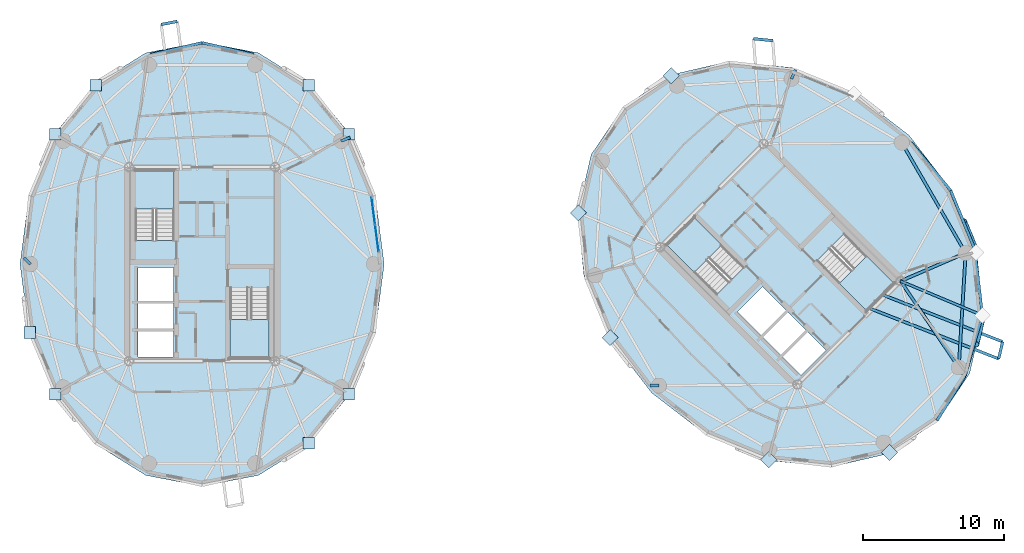
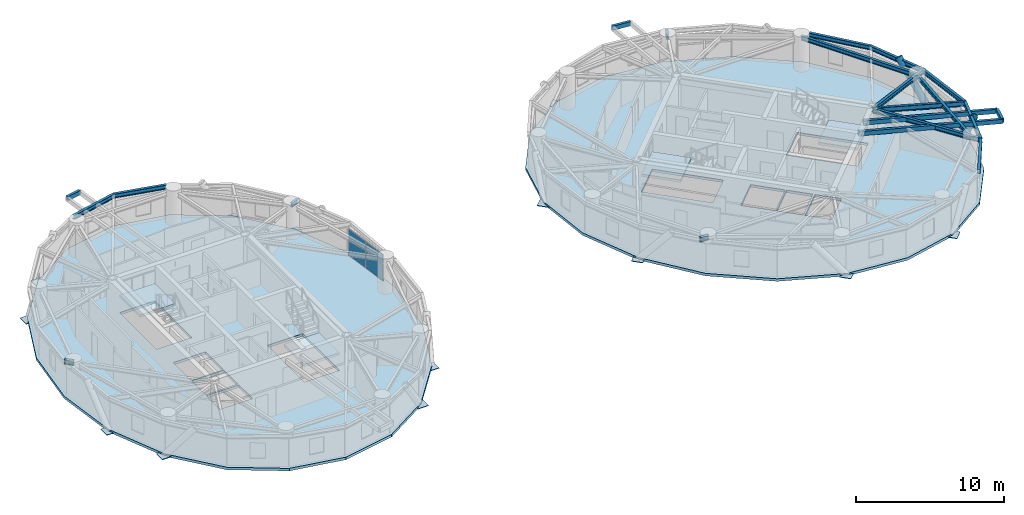
# One storey, part 7 of 16: 21 beams, 17 plates, 6 slabs, 2 members, 5 elements without a shape of their own.
"""IFC4 building model written with IfcOpenShell, lengths in metres."""

from ifc_helpers import new_model, si_unit, direction, frame, origin, origin_2d, place, context, subcontext, project, spatial, polyline, rectangle, hollow_rectangle, hollow_circle, i_section, outline, extrude, source, transform, mapped, material, layer, layer_set, material_profile, profile_set, type_object, element, aggregate, save


model = new_model("IFC4")

# Units and contexts
model_context = context("Model", 3, precision=1e-05, world=origin(), true_north=direction((0.0, 1.0)))
body_context = subcontext(model_context, "Body", "Model", "MODEL_VIEW")
ifc_project = project(units=[si_unit("LENGTHUNIT", "METRE"), si_unit("AREAUNIT", "SQUARE_METRE"), si_unit("VOLUMEUNIT", "CUBIC_METRE"), si_unit("PLANEANGLEUNIT", "RADIAN"), si_unit("MASSUNIT", "GRAM", prefix="KILO")], contexts=[model_context])

# Site, building, storey
site_placement = place(None, origin())
site = spatial("IfcSite", under=ifc_project, at=site_placement, CompositionType="ELEMENT")
building_placement = place(site_placement, origin())
building = spatial("IfcBuilding", under=site, at=building_placement, Name="Cununo Teusaquillo Station Towers", CompositionType="ELEMENT")
storey_placement = place(building_placement, frame((0.0, 0.0, 219.93994140625)))
storey = spatial("IfcBuildingStorey", under=building, at=storey_placement, Name="L70", CompositionType="ELEMENT", Elevation=219.93994140625)

# Beams
ifc_material_1 = material(Name="Steel EN 10025-2 S355J2", Category="steel")
ifc_material_profile_1 = material_profile(ifc_material_1, hollow_rectangle(XDim=0.199951171875, YDim=0.35009765625, WallThickness=0.013916015625, at=origin_2d()), Name="RHS 350x200x14")
ifc_profile_set_1 = profile_set([ifc_material_profile_1], Name="Steel EN 10025-2 S355J2")
beam_type_1 = type_object("IfcBeamType", Name="BM-BAL-CANT", PredefinedType="BEAM", material=ifc_profile_set_1)
beam_1_placement = place(storey_placement, frame((63.785888671875, 21.38134765625, 2.525146484375), z_axis=(0.931262493406, -0.364348965109, 0.0), x_axis=(0.364348965109, 0.931262493406, 0.0)))
element("IfcBeam", 1, at=beam_1_placement, inside=storey, type_object=beam_type_1, Name="L70 Tower B Balcony Cantilever Bracket 2A", PredefinedType="BEAM", context=body_context, shape_type="SweptSolid", body=[
    extrude(hollow_rectangle(XDim=0.199951171875, YDim=0.35009765625, WallThickness=0.013916015625, at=origin_2d()), origin(), (0.0, 0.0, 1.0), 9.8662109375),
])
beam_2_placement = place(storey_placement, frame((64.73388671875, 22.329345703125, 2.525146484375), z_axis=(0.931259704605, -0.364356093101, 0.0), x_axis=(0.364356093101, 0.931259704605, 0.0)))
element("IfcBeam", 2, at=beam_2_placement, inside=storey, type_object=beam_type_1, Name="L70 Tower B Balcony Cantilever Bracket 2B", PredefinedType="BEAM", context=body_context, shape_type="SweptSolid", body=[
    extrude(hollow_rectangle(XDim=0.199951171875, YDim=0.35009765625, WallThickness=0.013916015625, at=origin_2d()), origin(), (0.0, 0.0, 1.0), 9.151123046875),
])
ifc_material_2 = material(Name="Steel ASTM A572 Grade 50", Category="steel")
ifc_material_profile_2 = material_profile(ifc_material_2, i_section(OverallWidth=0.180908203125, OverallDepth=0.4169921875, WebThickness=0.010986328125, FlangeThickness=0.018310546875, FilletRadius=0.012939453125, at=origin_2d()), Name="W16X57")
ifc_profile_set_2 = profile_set([ifc_material_profile_2], Name="Steel ASTM A572 Grade 50")
beam_type_2 = type_object("IfcBeamType", Name="BM-JOIST-1", PredefinedType="JOIST", material=ifc_profile_set_2)
beam_3_placement = place(storey_placement, frame((66.024169921875, 23.29443359375, 2.491455078125), z_axis=(0.922169338565, -0.386786389381, 0.0), x_axis=(0.386786389381, 0.922169338565, 0.0)))
element("IfcBeam", 3, at=beam_3_placement, inside=storey, type_object=beam_type_2, Name="L70 Tower B Radial Spandrel Joist V17", PredefinedType="JOIST", context=body_context, shape_type="SweptSolid", body=[
    extrude(i_section(OverallWidth=0.180908203125, OverallDepth=0.4169921875, WebThickness=0.010986328125, FlangeThickness=0.018310546875, FilletRadius=0.012939453125, at=origin_2d()), origin(), (0.0, 0.0, 1.0), 6.281005859375),
])
ifc_material_3 = material(Name="Steel ASTM A572 Grade 50", Category="steel")
ifc_material_profile_3 = material_profile(ifc_material_3, i_section(OverallWidth=0.2041015625, OverallDepth=0.35009765625, WebThickness=0.008544921875, FlangeThickness=0.01513671875, FilletRadius=0.011962890625, at=origin_2d()), Name="W14X48")
ifc_profile_set_3 = profile_set([ifc_material_profile_3], Name="Steel ASTM A572 Grade 50")
beam_type_3 = type_object("IfcBeamType", Name="BM-RAD-G3", PredefinedType="BEAM", material=ifc_profile_set_3)
beam_4_placement = place(storey_placement, frame((26.347412109375, 33.228515625, 2.525146484375), z_axis=(0.929761307449, 0.368162886738, 0.0), x_axis=(-0.368162886738, 0.929761307449, 0.0)))
element("IfcBeam", 4, at=beam_4_placement, inside=storey, type_object=beam_type_3, Name="L70 Tower A Perimeter Overhang Girder 02B", PredefinedType="BEAM", context=body_context, shape_type="SweptSolid", body=[
    extrude(i_section(OverallWidth=0.2041015625, OverallDepth=0.35009765625, WebThickness=0.008544921875, FlangeThickness=0.01513671875, FilletRadius=0.011962890625, at=origin_2d()), origin(), (0.0, 0.0, 1.0), 0.691650390625),
])
beam_5_placement = place(storey_placement, frame((4.327880859375, 24.5, 2.525146484375), z_axis=(-0.712904743691, 0.701260883283, 0.0), x_axis=(-0.701260883283, -0.712904743691, 0.0)))
element("IfcBeam", 5, at=beam_5_placement, inside=storey, type_object=beam_type_3, Name="L70 Tower A Perimeter Overhang Girder 06B", PredefinedType="BEAM", context=body_context, shape_type="SweptSolid", body=[
    extrude(i_section(OverallWidth=0.2041015625, OverallDepth=0.35009765625, WebThickness=0.008544921875, FlangeThickness=0.01513671875, FilletRadius=0.011962890625, at=origin_2d()), origin(), (0.0, 0.0, 1.0), 0.64990234375),
])
beam_6_placement = place(storey_placement, frame((58.291015625, 37.63525390625, 2.525146484375), z_axis=(0.397409333503, 0.917641445034, 0.0), x_axis=(-0.917641445034, 0.397409333503, 0.0)))
element("IfcBeam", 6, at=beam_6_placement, inside=storey, type_object=beam_type_3, Name="L70 Tower B Perimeter Overhang Girder 02B", PredefinedType="BEAM", context=body_context, shape_type="SweptSolid", body=[
    extrude(i_section(OverallWidth=0.2041015625, OverallDepth=0.35009765625, WebThickness=0.008544921875, FlangeThickness=0.01513671875, FilletRadius=0.011962890625, at=origin_2d()), origin(), (0.0, 0.0, 1.0), 0.691650390625),
])
beam_7_placement = place(storey_placement, frame((48.89306640625, 15.89306640625, 2.525146484375), z_axis=(-0.999962704276, -0.008636553586, 0.0), x_axis=(0.008636553586, -0.999962704276, 0.0)))
element("IfcBeam", 7, at=beam_7_placement, inside=storey, type_object=beam_type_3, Name="L70 Tower B Perimeter Overhang Girder 06B", PredefinedType="BEAM", context=body_context, shape_type="SweptSolid", body=[
    extrude(i_section(OverallWidth=0.2041015625, OverallDepth=0.35009765625, WebThickness=0.008544921875, FlangeThickness=0.01513671875, FilletRadius=0.011962890625, at=origin_2d()), origin(), (0.0, 0.0, 1.0), 0.650146484375),
])
beam_8_placement = place(storey_placement, frame((66.024169921875, 23.29443359375, 2.525146484375), z_axis=(0.558570844079, -0.829456817529, 0.0), x_axis=(0.829456817529, 0.558570844079, 0.0)))
element("IfcBeam", 8, at=beam_8_placement, inside=storey, type_object=beam_type_3, Name="L70 Tower B Continuous Overhanging Radial Girder 09", PredefinedType="BEAM", context=body_context, shape_type="SweptSolid", body=[
    extrude(i_section(OverallWidth=0.2041015625, OverallDepth=0.35009765625, WebThickness=0.008544921875, FlangeThickness=0.01513671875, FilletRadius=0.011962890625, at=origin_2d()), origin(), (0.0, 0.0, 1.0), 8.1240234375),
])
beam_9_placement = place(storey_placement, frame((66.024169921875, 23.29443359375, 2.525146484375), z_axis=(0.917665176837, 0.397354530893, 0.0), x_axis=(-0.397354530893, 0.917665176837, 0.0)))
element("IfcBeam", 9, at=beam_9_placement, inside=storey, type_object=beam_type_3, Name="L70 Tower B Continuous Overhanging Radial Girder 10", PredefinedType="BEAM", context=body_context, shape_type="SweptSolid", body=[
    extrude(i_section(OverallWidth=0.2041015625, OverallDepth=0.35009765625, WebThickness=0.008544921875, FlangeThickness=0.01513671875, FilletRadius=0.011962890625, at=origin_2d()), origin(), (0.0, 0.0, 1.0), 5.716552734375),
])
ifc_material_4 = material(Name="Steel ASTM A572 Grade 50", Category="steel")
ifc_material_profile_4 = material_profile(ifc_material_4, i_section(OverallWidth=0.2041015625, OverallDepth=0.35009765625, WebThickness=0.008544921875, FlangeThickness=0.01513671875, FilletRadius=0.011962890625, at=origin_2d()), Name="W14X48")
ifc_profile_set_4 = profile_set([ifc_material_profile_4], Name="Steel ASTM A572 Grade 50")
beam_type_4 = type_object("IfcBeamType", Name="BM-RING-Z4", PredefinedType="SPANDREL", material=ifc_profile_set_4)
for number, where, z_axis, x_axis, name in (
    (10, (20.118896484375, 39.353515625, 2.525146484375), (-0.97431470066, 0.225190728224, 0.0), (-0.225190728224, -0.97431470066, 0.0), "L70 Tower A Spandrel Ring Beam 05"),
    (11, (16.5, 40.18994140625, 2.525146484375), (-0.97431470066, -0.225190728224, 0.0), (0.225190728224, -0.97431470066, 0.0), "L70 Tower A Spandrel Ring Beam 06"),
):
    element("IfcBeam", number, at=place(storey_placement, frame(where, z_axis=z_axis, x_axis=x_axis)), inside=storey, type_object=beam_type_4, Name=name, PredefinedType="SPANDREL", context=body_context, shape_type="SweptSolid", body=[
        extrude(i_section(OverallWidth=0.2041015625, OverallDepth=0.35009765625, WebThickness=0.008544921875, FlangeThickness=0.01513671875, FilletRadius=0.011962890625, at=origin_2d()), origin(), (0.0, 0.0, 1.0), 3.71435546875),
    ])
beam_10_placement = place(storey_placement, frame((70.146240234375, 17.173095703125, 2.525146484375), z_axis=(0.06012979176, 0.998190567048, 0.0), x_axis=(-0.998190567048, 0.06012979176, 0.0)))
element("IfcBeam", 12, at=beam_10_placement, inside=storey, type_object=beam_type_4, Name="L70 Tower B Structural Column Ring Girder 09", PredefinedType="SPANDREL", context=body_context, shape_type="SweptSolid", body=[
    extrude(i_section(OverallWidth=0.2041015625, OverallDepth=0.35009765625, WebThickness=0.008544921875, FlangeThickness=0.01513671875, FilletRadius=0.011962890625, at=origin_2d()), origin(), (0.0, 0.0, 1.0), 8.132568359375),
])
beam_11_placement = place(storey_placement, frame((70.63525390625, 25.291015625, 2.525146484375), z_axis=(-0.501311121078, 0.865267103202, 0.0), x_axis=(-0.865267103202, -0.501311121078, 0.0)))
element("IfcBeam", 13, at=beam_11_placement, inside=storey, type_object=beam_type_4, Name="L70 Tower B Structural Column Ring Girder 10", PredefinedType="SPANDREL", context=body_context, shape_type="SweptSolid", body=[
    extrude(i_section(OverallWidth=0.2041015625, OverallDepth=0.35009765625, WebThickness=0.008544921875, FlangeThickness=0.01513671875, FilletRadius=0.011962890625, at=origin_2d()), origin(), (0.0, 0.0, 1.0), 9.032958984375),
])
beam_12_placement = place(storey_placement, frame((68.594482421875, 13.405517578125, 2.525146484375), z_axis=(0.529715312739, 0.848175505099, 0.0), x_axis=(-0.848175505099, 0.529715312739, 0.0)))
element("IfcBeam", 14, at=beam_12_placement, inside=storey, type_object=beam_type_4, Name="L70 Tower B Spandrel Ring Beam 16", PredefinedType="SPANDREL", context=body_context, shape_type="SweptSolid", body=[
    extrude(i_section(OverallWidth=0.2041015625, OverallDepth=0.35009765625, WebThickness=0.008544921875, FlangeThickness=0.01513671875, FilletRadius=0.011962890625, at=origin_2d()), origin(), (0.0, 0.0, 1.0), 3.71435546875),
])
beam_13_placement = place(storey_placement, frame((70.56201171875, 16.555908203125, 2.525146484375), z_axis=(0.279502797802, 0.96014487762, 0.0), x_axis=(-0.96014487762, 0.279502797802, 0.0)))
element("IfcBeam", 15, at=beam_13_placement, inside=storey, type_object=beam_type_4, Name="L70 Tower B Spandrel Ring Beam 17", PredefinedType="SPANDREL", context=body_context, shape_type="SweptSolid", body=[
    extrude(i_section(OverallWidth=0.2041015625, OverallDepth=0.35009765625, WebThickness=0.008544921875, FlangeThickness=0.01513671875, FilletRadius=0.011962890625, at=origin_2d()), origin(), (0.0, 0.0, 1.0), 4.488037109375),
])
beam_14_placement = place(storey_placement, frame((71.81640625, 20.864990234375, 2.525146484375), z_axis=(-0.115452326356, 0.993313022334, 0.0), x_axis=(-0.993313022334, -0.115452326356, 0.0)))
element("IfcBeam", 16, at=beam_14_placement, inside=storey, type_object=beam_type_4, Name="L70 Tower B Spandrel Ring Beam 18", PredefinedType="SPANDREL", context=body_context, shape_type="SweptSolid", body=[
    extrude(i_section(OverallWidth=0.2041015625, OverallDepth=0.35009765625, WebThickness=0.008544921875, FlangeThickness=0.01513671875, FilletRadius=0.011962890625, at=origin_2d()), origin(), (0.0, 0.0, 1.0), 4.732666015625),
])
beam_15_placement = place(storey_placement, frame((71.27001953125, 25.56591796875, 2.525146484375), z_axis=(-0.379275405388, 0.925283830437, 0.0), x_axis=(-0.925283830437, -0.379275405388, 0.0)))
element("IfcBeam", 17, at=beam_15_placement, inside=storey, type_object=beam_type_4, Name="L70 Tower B Spandrel Ring Beam 19", PredefinedType="SPANDREL", context=body_context, shape_type="SweptSolid", body=[
    extrude(i_section(OverallWidth=0.2041015625, OverallDepth=0.35009765625, WebThickness=0.008544921875, FlangeThickness=0.01513671875, FilletRadius=0.011962890625, at=origin_2d()), origin(), (0.0, 0.0, 1.0), 4.482177734375),
])
beam_16_placement = place(storey_placement, frame((69.570068359375, 29.713134765625, 2.525146484375), z_axis=(-0.637524682095, 0.770429931739, 0.0), x_axis=(-0.770429931739, -0.637524682095, 0.0)))
element("IfcBeam", 18, at=beam_16_placement, inside=storey, type_object=beam_type_4, Name="L70 Tower B Spandrel Ring Beam 20", PredefinedType="SPANDREL", context=body_context, shape_type="SweptSolid", body=[
    extrude(i_section(OverallWidth=0.2041015625, OverallDepth=0.35009765625, WebThickness=0.008544921875, FlangeThickness=0.01513671875, FilletRadius=0.011962890625, at=origin_2d()), origin(), (0.0, 0.0, 1.0), 4.412353515625),
])
ifc_material_5 = material(Name="Steel EN 10025-2 S355J2", Category="steel")
ifc_material_profile_5 = material_profile(ifc_material_5, hollow_rectangle(XDim=0.199951171875, YDim=0.35009765625, WallThickness=0.013916015625, at=origin_2d()), Name="RHS 350x200x14")
ifc_profile_set_5 = profile_set([ifc_material_profile_5], Name="Steel EN 10025-2 S355J2")
beam_type_5 = type_object("IfcBeamType", Name="BM-STAIR-TRIM", PredefinedType="BEAM", material=ifc_profile_set_5)
beam_17_placement = place(storey_placement, frame((14.73828125, 41.708984375, 2.525146484375), z_axis=(-0.981857200028, -0.189621830897, 0.0), x_axis=(0.189621830897, -0.981857200028, 0.0)))
element("IfcBeam", 19, at=beam_17_placement, inside=storey, type_object=beam_type_5, Name="L70 Tower A Balcony Edge Trimmer Beam 1", PredefinedType="BEAM", context=body_context, shape_type="SweptSolid", body=[
    extrude(hollow_rectangle(XDim=0.199951171875, YDim=0.35009765625, WallThickness=0.013916015625, at=origin_2d()), origin(), (0.0, 0.0, 1.0), 1.157470703125),
])
beam_18_placement = place(storey_placement, frame((56.953125, 40.34423828125, 2.525146484375), z_axis=(-0.995130284022, 0.098568340868, 0.0), x_axis=(-0.098568340868, -0.995130284022, 0.0)))
element("IfcBeam", 20, at=beam_18_placement, inside=storey, type_object=beam_type_5, Name="L70 Tower B Balcony Edge Trimmer Beam 1", PredefinedType="BEAM", context=body_context, shape_type="SweptSolid", body=[
    extrude(hollow_rectangle(XDim=0.199951171875, YDim=0.35009765625, WallThickness=0.013916015625, at=origin_2d()), origin(), (0.0, 0.0, 1.0), 1.36962890625),
])
beam_19_placement = place(storey_placement, frame((72.973876953125, 17.78662109375, 2.525146484375), z_axis=(0.227229615606, 0.973841209742, 0.0), x_axis=(-0.973841209742, 0.227229615606, 0.0)))
element("IfcBeam", 21, at=beam_19_placement, inside=storey, type_object=beam_type_5, Name="L70 Tower B Balcony Edge Trimmer Beam 2", PredefinedType="BEAM", context=body_context, shape_type="SweptSolid", body=[
    extrude(hollow_rectangle(XDim=0.199951171875, YDim=0.35009765625, WallThickness=0.013916015625, at=origin_2d()), origin(), (0.0, 0.0, 1.0), 1.240966796875),
])

# Members
ifc_material_6 = material(Name="Steel EN 10025-2 S355J2", Category="steel")
ifc_material_profile_6 = material_profile(ifc_material_6, hollow_circle(Radius=0.25390625, WallThickness=0.01806640625, at=origin_2d()), Name="CHS 508x18")
ifc_profile_set_6 = profile_set([ifc_material_profile_6], Name="Steel EN 10025-2 S355J2")
member_type = type_object("IfcMemberType", Name="MBR-DIAG-Z4", PredefinedType="BRACE", material=ifc_profile_set_6)
member_1_placement = place(storey_placement, frame((71.81640625, 20.864990234375, -0.139892578125), z_axis=(-0.13314567374, -0.571575356555, 0.809675145564), x_axis=(0.97392481585, -0.226871005356, 0.0)))
element("IfcMember", 22, at=member_1_placement, inside=storey, type_object=member_type, Name="L70 Tower B Folded-Zigzag Diagrid Tube C16", PredefinedType="BRACE", context=body_context, shape_type="SweptSolid", body=[
    extrude(hollow_circle(Radius=0.25390625, WallThickness=0.01806640625, at=origin_2d()), origin(), (0.0, 0.0, 1.0), 3.593994140625),
])
member_2_placement = place(storey_placement, frame((71.372314453125, 25.329833984375, -0.139892578125), z_axis=(-0.240125007618, 0.584015766292, 0.775413157896), x_axis=(-0.924874275738, -0.380273025704, 0.0)))
element("IfcMember", 23, at=member_2_placement, inside=storey, type_object=member_type, Name="L70 Tower B Folded-Zigzag Diagrid Tube C18", PredefinedType="BRACE", context=body_context, shape_type="SweptSolid", body=[
    extrude(hollow_circle(Radius=0.25390625, WallThickness=0.01806640625, at=origin_2d()), origin(), (0.0, 0.0, 1.0), 3.752685546875),
])

# Stair, slab
ifc_material_7 = material(Name="Concrete C50/60", Category="concrete")
stair_type = type_object("IfcStairType", Name="ST-TWR-1300", PredefinedType="HALF_TURN_STAIR", material=ifc_material_7)
stair_1_placement = place(storey_placement, origin())
stair_1 = element("IfcStair", 24, at=stair_1_placement, inside=storey, type_object=stair_type, Name="L70 Tower A Protected Core Exit Stair 1", PredefinedType="HALF_TURN_STAIR")
ifc_material_8 = material(Name="Concrete C50/60", Category="concrete")
ifc_layer_1 = layer(ifc_material_8, 0.199951171875)
ifc_layer_set_1 = layer_set([ifc_layer_1], Name="Concrete C50/60")
slab_type_1 = type_object("IfcSlabType", Name="SLB-STAIR-LND", PredefinedType="LANDING", material=ifc_layer_set_1)
slab_1_placement = place(storey_placement, frame((0.0, 0.0, 1.255126953125)))
slab_1 = element("IfcSlab", 25, at=slab_1_placement, type_object=slab_type_1, Name="ST-T1-1 landing 1", PredefinedType="LANDING", context=body_context, shape_type="SweptSolid", body=[
    extrude(outline(polyline([(14.52001953125, 28.409912109375), (14.52001953125, 31.159912109375), (11.760009765625, 31.159912109375), (11.760009765625, 28.409912109375), (14.52001953125, 28.409912109375)])), origin(), (0.0, 0.0, 1.0), 0.199951171875),
])
aggregate(stair_1, [slab_1])

stair_2_placement = place(storey_placement, origin())
stair_2 = element("IfcStair", 26, at=stair_2_placement, inside=storey, type_object=stair_type, Name="L70 Tower A Protected Core Exit Stair 2", PredefinedType="HALF_TURN_STAIR")
slab_2_placement = place(storey_placement, frame((0.0, 0.0, 1.255126953125)))
slab_2 = element("IfcSlab", 27, at=slab_2_placement, type_object=slab_type_1, Name="ST-T1-2 landing 1", PredefinedType="LANDING", context=body_context, shape_type="SweptSolid", body=[
    extrude(outline(polyline([(18.47998046875, 20.590087890625), (18.47998046875, 17.840087890625), (21.239990234375, 17.840087890625), (21.239990234375, 20.590087890625), (18.47998046875, 20.590087890625)])), origin(), (0.0, 0.0, 1.0), 0.199951171875),
])
aggregate(stair_2, [slab_2])

stair_3_placement = place(storey_placement, origin())
stair_3 = element("IfcStair", 28, at=stair_3_placement, inside=storey, type_object=stair_type, Name="L70 Tower B Protected Core Exit Stair 1", PredefinedType="HALF_TURN_STAIR")
slab_3_placement = place(storey_placement, frame((0.0, 0.0, 1.255126953125)))
slab_3 = element("IfcSlab", 29, at=slab_3_placement, type_object=slab_type_1, Name="ST-T2-1 landing 1", PredefinedType="LANDING", context=body_context, shape_type="SweptSolid", body=[
    extrude(outline(polyline([(53.335205078125, 25.86474609375), (51.390625, 27.809326171875), (49.43896484375, 25.857666015625), (51.383544921875, 23.9130859375), (53.335205078125, 25.86474609375)])), origin(), (0.0, 0.0, 1.0), 0.199951171875),
])
aggregate(stair_3, [slab_3])

stair_4_placement = place(storey_placement, origin())
stair_4 = element("IfcStair", 30, at=stair_4_placement, inside=storey, type_object=stair_type, Name="L70 Tower B Protected Core Exit Stair 2", PredefinedType="HALF_TURN_STAIR")
slab_4_placement = place(storey_placement, frame((0.0, 0.0, 1.255126953125)))
slab_4 = element("IfcSlab", 31, at=slab_4_placement, type_object=slab_type_1, Name="ST-T2-2 landing 1", PredefinedType="LANDING", context=body_context, shape_type="SweptSolid", body=[
    extrude(outline(polyline([(61.664794921875, 23.13525390625), (63.609375, 21.190673828125), (65.56103515625, 23.142333984375), (63.616455078125, 25.0869140625), (61.664794921875, 23.13525390625)])), origin(), (0.0, 0.0, 1.0), 0.199951171875),
])
aggregate(stair_4, [slab_4])

# Slabs
ifc_material_9 = material(Name="Concrete C40/50", Category="concrete")
ifc_layer_2 = layer(ifc_material_9, 0.2099609375)
ifc_layer_set_2 = layer_set([ifc_layer_2], Name="Concrete C40/50")
slab_type_2 = type_object("IfcSlabType", Name="SLB-Z4-200", PredefinedType="FLOOR", material=ifc_layer_set_2)
slab_5_placement = place(storey_placement, frame((0.0, 0.0, -0.2099609375)))
element("IfcSlab", 32, at=slab_5_placement, inside=storey, type_object=slab_type_2, Name="L70 Tower A Floor Slab", PredefinedType="FLOOR", context=body_context, shape_type="SweptSolid", body=[
    extrude(outline(polyline([(29.409912109375, 24.5), (28.778076171875, 29.366943359375), (26.9443359375, 33.757568359375), (24.08837890625, 37.241943359375), (20.489501953125, 39.47900390625), (16.5, 40.25), (12.510498046875, 39.47900390625), (8.91162109375, 37.241943359375), (6.0556640625, 33.757568359375), (4.221923828125, 29.366943359375), (3.590087890625, 24.5), (4.221923828125, 19.633056640625), (6.0556640625, 15.242431640625), (8.91162109375, 11.758056640625), (12.510498046875, 9.52099609375), (16.5, 8.75), (20.489501953125, 9.52099609375), (24.08837890625, 11.758056640625), (26.9443359375, 15.242431640625), (28.778076171875, 19.633056640625), (29.409912109375, 24.5)]), holes=[polyline([(14.52001953125, 26.176025390625), (14.52001953125, 31.159912109375), (11.760009765625, 31.159912109375), (11.760009765625, 26.176025390625), (14.52001953125, 26.176025390625)]), polyline([(18.47998046875, 22.823974609375), (18.47998046875, 17.840087890625), (21.239990234375, 17.840087890625), (21.239990234375, 22.823974609375), (18.47998046875, 22.823974609375)]), polyline([(11.949951171875, 21.85009765625), (14.47998046875, 21.85009765625), (14.47998046875, 24.25), (11.949951171875, 24.25), (11.949951171875, 21.85009765625)]), polyline([(11.949951171875, 17.89990234375), (14.47998046875, 17.89990234375), (14.47998046875, 19.75), (11.949951171875, 19.75), (11.949951171875, 17.89990234375)]), polyline([(11.949951171875, 19.89990234375), (14.47998046875, 19.89990234375), (14.47998046875, 21.75), (11.949951171875, 21.75), (11.949951171875, 19.89990234375)])]), origin(), (0.0, 0.0, 1.0), 0.2099609375),
])
slab_6_placement = place(storey_placement, frame((0.0, 0.0, -0.2099609375)))
element("IfcSlab", 33, at=slab_6_placement, inside=storey, type_object=slab_type_2, Name="L70 Tower B Floor Slab", PredefinedType="FLOOR", context=body_context, shape_type="SweptSolid", body=[
    extrude(outline(polyline([(66.628662109375, 33.628662109375), (62.740478515625, 36.623291015625), (58.339111328125, 38.431396484375), (53.855712890625, 38.875732421875), (49.72900390625, 37.912841796875), (46.363037109375, 35.636962890625), (44.087158203125, 32.27099609375), (43.124267578125, 28.144287109375), (43.568603515625, 23.660888671875), (45.376708984375, 19.259521484375), (48.371337890625, 15.371337890625), (52.259521484375, 12.376708984375), (56.660888671875, 10.568603515625), (61.144287109375, 10.124267578125), (65.27099609375, 11.087158203125), (68.636962890625, 13.363037109375), (70.912841796875, 16.72900390625), (71.875732421875, 20.855712890625), (71.431396484375, 25.339111328125), (69.623291015625, 29.740478515625), (66.628662109375, 33.628662109375)]), holes=[polyline([(54.914794921875, 24.28515625), (51.390625, 27.809326171875), (49.43896484375, 25.857666015625), (52.963134765625, 22.33349609375), (54.914794921875, 24.28515625)]), polyline([(60.085205078125, 24.71484375), (63.609375, 21.190673828125), (65.56103515625, 23.142333984375), (62.036865234375, 26.66650390625), (60.085205078125, 24.71484375)]), polyline([(56.156494140625, 19.40869140625), (57.945556640625, 21.19775390625), (56.248291015625, 22.89501953125), (54.45947265625, 21.10595703125), (56.156494140625, 19.40869140625)]), polyline([(58.94970703125, 16.61572265625), (60.738525390625, 18.40478515625), (59.430419921875, 19.712890625), (57.641357421875, 17.923828125), (58.94970703125, 16.61572265625)]), polyline([(57.535400390625, 18.030029296875), (59.32421875, 19.819091796875), (58.01611328125, 21.127197265625), (56.227294921875, 19.338134765625), (57.535400390625, 18.030029296875)])]), origin(), (0.0, 0.0, 1.0), 0.2099609375),
])

# Plates
ifc_material_10 = material(Name="Steel ASTM A572 Grade 50", Category="steel")
ifc_layer_3 = layer(ifc_material_10, 0.044921875)
ifc_layer_set_3 = layer_set([ifc_layer_3], Name="Steel ASTM A572 Grade 50")
plate_type_1 = type_object("IfcPlateType", Name="PLT-NODE-DN2", PredefinedType="USERDEFINED", material=ifc_layer_set_3)
shared_shape_1 = source(origin(), body_context, "Body", "SweptSolid", [
    extrude(rectangle(XDim=0.820068359375, YDim=0.820068359375, at=origin_2d()), origin(), (0.0, 0.0, 1.0), 0.044921875),
])
for number, where, z_axis, x_axis, name in (
    (34, (26.89599609375, 33.722412109375, -0.162353515625), (0.0, 0.0, 1.0), (1.0, 0.0, 0.0), "L70 Tower A Diagrid Node Assembly C01"),
    (35, (24.052978515625, 37.193603515625, -0.162353515625), (0.0, 0.0, 1.0), (1.0, 0.0, 0.0), "L70 Tower A Diagrid Node Assembly C03"),
    (36, (8.947021484375, 37.193603515625, -0.162353515625), (0.0, 0.0, 1.0), (1.0, 0.0, 0.0), "L70 Tower A Diagrid Node Assembly C06"),
    (37, (6.10400390625, 33.722412109375, -0.162353515625), (0.0, 0.0, 1.0), (1.0, 0.0, 0.0), "L70 Tower A Diagrid Node Assembly C08"),
    (38, (4.27880859375, 19.651611328125, -0.162353515625), (0.0, 0.0, 1.0), (1.0, 0.0, 0.0), "L70 Tower A Diagrid Node Assembly C10"),
    (39, (6.10400390625, 15.277587890625, -0.162353515625), (0.0, 0.0, 1.0), (1.0, 0.0, 0.0), "L70 Tower A Diagrid Node Assembly C12"),
    (40, (24.052978515625, 11.806396484375, -0.162353515625), (0.0, 0.0, 1.0), (1.0, 0.0, 0.0), "L70 Tower A Diagrid Node Assembly C16"),
    (41, (26.89599609375, 15.277587890625, -0.162353515625), (0.0, 0.0, 1.0), (1.0, 0.0, 0.0), "L70 Tower A Diagrid Node Assembly C18"),
    (42, (49.75634765625, 37.859375, -0.162353515625), (0.0, 0.0, 1.0), (0.707106781187, 0.707106781187, 0.0), "L70 Tower B Diagrid Node Assembly C04"),
    (43, (43.18359375, 28.135009765625, -0.162353515625), (0.0, 0.0, 1.0), (0.707106781187, 0.707106781187, 0.0), "L70 Tower B Diagrid Node Assembly C06"),
    (44, (45.429931640625, 19.286865234375, -0.162353515625), (0.0, 0.0, 1.0), (0.707106781187, 0.707106781187, 0.0), "L70 Tower B Diagrid Node Assembly C09"),
    (45, (56.670166015625, 10.627685546875, -0.162353515625), (0.0, 0.0, 1.0), (0.707106781187, 0.707106781187, 0.0), "L70 Tower B Diagrid Node Assembly C11"),
    (46, (65.24365234375, 11.140625, -0.162353515625), (0.0, 0.0, 1.0), (0.707106781187, 0.707106781187, 0.0), "L70 Tower B Diagrid Node Assembly C14"),
):
    element("IfcPlate", number, at=place(storey_placement, frame(where, z_axis=z_axis, x_axis=x_axis)), inside=storey, type_object=plate_type_1, Name=name, ObjectType="GUSSET PLATE", PredefinedType="USERDEFINED", context=body_context, shape_type="MappedRepresentation", body=[
        mapped(shared_shape_1, transform((0.0, 0.0, 0.0), x_axis=(1.0, 0.0, 0.0), y_axis=(0.0, 1.0, 0.0), z_axis=(0.0, 0.0, 1.0), scale=1.0)),
    ])

# Curtain wall, plates
ifc_material_11 = material(Name="Ceramic-fritted dark low-E double glazing", Category="glass")
ifc_layer_4 = layer(ifc_material_11, 0.179931640625)
ifc_layer_set_4 = layer_set([ifc_layer_4], Name="Ceramic-fritted dark low-E double glazing")
curtain_wall_type = type_object("IfcCurtainWallType", Name="CW-SYS-07", PredefinedType="USERDEFINED", material=ifc_layer_set_4)
curtain_wall_placement = place(storey_placement, origin())
curtain_wall = element("IfcCurtainWall", 47, at=curtain_wall_placement, inside=storey, type_object=curtain_wall_type, Name="L70 Tower A Facade Curtain Wall C00", ObjectType="FRITTED GLAZING", PredefinedType="USERDEFINED")
ifc_material_12 = material(Name="Ceramic-fritted dark low-E double glazing", Category="glass")
ifc_layer_5 = layer(ifc_material_12, 0.028076171875)
ifc_layer_set_5 = layer_set([ifc_layer_5], Name="Ceramic-fritted dark low-E double glazing")
plate_type_2 = type_object("IfcPlateType", Name="CWP-FRIT-28", PredefinedType="CURTAIN_PANEL", material=ifc_layer_set_5)
shared_shape_2 = source(origin(), body_context, "Body", "SweptSolid", [
    extrude(rectangle(XDim=1.8876953125, YDim=0.028076171875, at=origin_2d()), origin(), (0.0, 0.0, 1.0), 1.41162109375),
])
plate_1_placement = place(storey_placement, frame((28.64111328125, 28.280029296875, 0.06494140625), z_axis=(0.0, 0.0, 1.0), x_axis=(0.12825264413, -0.991741528461, 0.0)))
plate_1 = element("IfcPlate", 48, at=plate_1_placement, type_object=plate_type_2, Name="CW-07 panel 1.1", PredefinedType="CURTAIN_PANEL", context=body_context, shape_type="MappedRepresentation", body=[
    mapped(shared_shape_2, transform((0.0, 0.0, 0.0), x_axis=(1.0, 0.0, 0.0), y_axis=(0.0, 1.0, 0.0), z_axis=(0.0, 0.0, 1.0), scale=1.0)),
])
plate_2_placement = place(storey_placement, frame((28.8916015625, 26.343505859375, 0.06494140625), z_axis=(0.0, 0.0, 1.0), x_axis=(0.12825264413, -0.991741528461, 0.0)))
plate_2 = element("IfcPlate", 49, at=plate_2_placement, type_object=plate_type_2, Name="CW-07 panel 2.1", PredefinedType="CURTAIN_PANEL", context=body_context, shape_type="MappedRepresentation", body=[
    mapped(shared_shape_2, transform((0.0, 0.0, 0.0), x_axis=(1.0, 0.0, 0.0), y_axis=(0.0, 1.0, 0.0), z_axis=(0.0, 0.0, 1.0), scale=1.0)),
])
shared_shape_3 = source(origin(), body_context, "Body", "SweptSolid", [
    extrude(rectangle(XDim=1.8876953125, YDim=0.028076171875, at=origin_2d()), origin(), (0.0, 0.0, 1.0), 0.715576171875),
])
plate_3_placement = place(storey_placement, frame((28.64111328125, 28.280029296875, 1.54150390625), z_axis=(0.0, 0.0, 1.0), x_axis=(0.12825264413, -0.991741528461, 0.0)))
plate_3 = element("IfcPlate", 50, at=plate_3_placement, type_object=plate_type_2, Name="CW-07 panel 1.2", PredefinedType="CURTAIN_PANEL", context=body_context, shape_type="MappedRepresentation", body=[
    mapped(shared_shape_3, transform((0.0, 0.0, 0.0), x_axis=(1.0, 0.0, 0.0), y_axis=(0.0, 1.0, 0.0), z_axis=(0.0, 0.0, 1.0), scale=1.0)),
])
plate_4_placement = place(storey_placement, frame((28.8916015625, 26.343505859375, 1.54150390625), z_axis=(0.0, 0.0, 1.0), x_axis=(0.12825264413, -0.991741528461, 0.0)))
plate_4 = element("IfcPlate", 51, at=plate_4_placement, type_object=plate_type_2, Name="CW-07 panel 2.2", PredefinedType="CURTAIN_PANEL", context=body_context, shape_type="MappedRepresentation", body=[
    mapped(shared_shape_3, transform((0.0, 0.0, 0.0), x_axis=(1.0, 0.0, 0.0), y_axis=(0.0, 1.0, 0.0), z_axis=(0.0, 0.0, 1.0), scale=1.0)),
])
aggregate(curtain_wall, [plate_1, plate_3, plate_2, plate_4])

save(model, "model.ifc")
